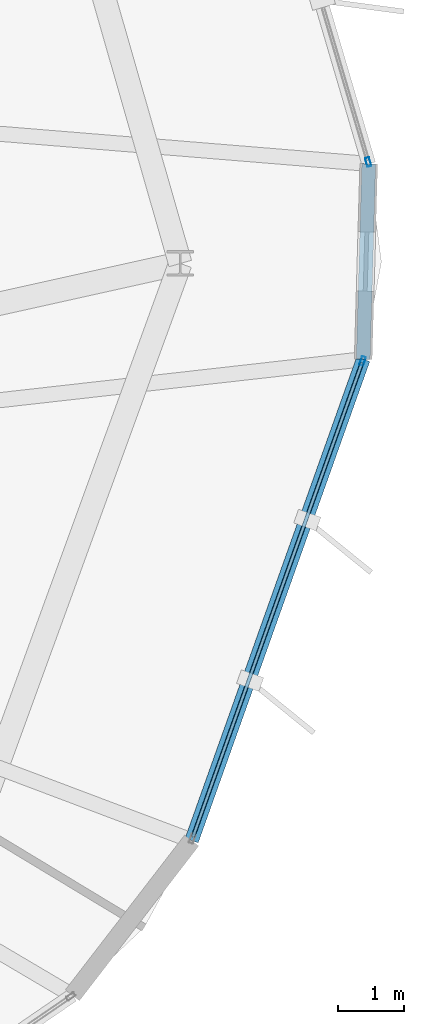
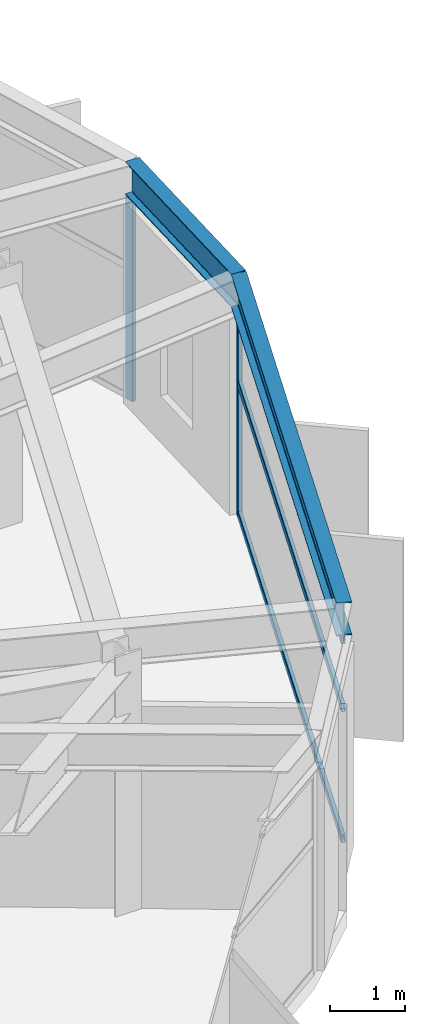
# One storey, part 12 of 20: 5 members, 2 beams, 2 elements without a shape of their own.
"""IFC4 building model written with IfcOpenShell, lengths in metres."""

from ifc_helpers import new_model, si_unit, direction, frame, origin, origin_2d, place, context, subcontext, project, spatial, hollow_rectangle, i_section, extrude, material, layer, layer_set, material_profile, profile_set, type_object, element, aggregate, save


model = new_model("IFC4")

# Units and contexts
model_context = context("Model", 3, precision=1e-05, world=origin(), true_north=direction((0.0, 1.0)))
body_context = subcontext(model_context, "Body", "Model", "MODEL_VIEW")
ifc_project = project(units=[si_unit("LENGTHUNIT", "METRE"), si_unit("AREAUNIT", "SQUARE_METRE"), si_unit("VOLUMEUNIT", "CUBIC_METRE"), si_unit("PLANEANGLEUNIT", "RADIAN"), si_unit("MASSUNIT", "GRAM", prefix="KILO")], contexts=[model_context])

# Site, building, storey
site_placement = place(None, origin())
site = spatial("IfcSite", under=ifc_project, at=site_placement, CompositionType="ELEMENT")
building_placement = place(site_placement, origin())
building = spatial("IfcBuilding", under=site, at=building_placement, Name="Soratama Intermodal Tower", CompositionType="ELEMENT")
storey_placement = place(building_placement, frame((0.0, 0.0, 293.050048828125)))
storey = spatial("IfcBuildingStorey", under=building, at=storey_placement, Name="L74", CompositionType="ELEMENT", Elevation=293.050048828125)

# Beams
ifc_material_1 = material(Name="Structural steel ASTM A992 Grade 50", Category="steel")
ifc_material_profile_1 = material_profile(ifc_material_1, i_section(OverallWidth=0.2099609375, OverallDepth=0.537109375, WebThickness=0.010986328125, FlangeThickness=0.017333984375, FilletRadius=0.012939453125, at=origin_2d()), Name="W21X68")
ifc_profile_set_1 = profile_set([ifc_material_profile_1], Name="Structural steel ASTM A992 Grade 50")
beam_type = type_object("IfcBeamType", Name="BM-SPN-W21X68", PredefinedType="SPANDREL", material=ifc_profile_set_1)
beam_1_placement = place(storey_placement, frame((56.864013671875, 15.72607421875, 3.62646484375), z_axis=(0.335808010424, 0.94193045398, 0.0), x_axis=(-0.94193045398, 0.335808010424, 0.0)))
element("IfcBeam", 1, at=beam_1_placement, inside=storey, type_object=beam_type, Name="BS-L74-F08", PredefinedType="SPANDREL", context=body_context, shape_type="SweptSolid", body=[
    extrude(i_section(OverallWidth=0.2099609375, OverallDepth=0.537109375, WebThickness=0.010986328125, FlangeThickness=0.017333984375, FilletRadius=0.012939453125, at=origin_2d()), origin(), (0.0, 0.0, 1.0), 7.75732421875),
])
beam_2_placement = place(storey_placement, frame((59.468994140625, 23.032958984375, 3.62646484375), z_axis=(0.028303743754, 0.999599368792, 0.0), x_axis=(-0.999599368792, 0.028303743754, 0.0)))
element("IfcBeam", 2, at=beam_2_placement, inside=storey, type_object=beam_type, Name="BS-L74-CRN08", PredefinedType="SPANDREL", context=body_context, shape_type="SweptSolid", body=[
    extrude(i_section(OverallWidth=0.2099609375, OverallDepth=0.537109375, WebThickness=0.010986328125, FlangeThickness=0.017333984375, FilletRadius=0.012939453125, at=origin_2d()), origin(), (0.0, 0.0, 1.0), 2.96728515625),
])

# Curtain wall, member
ifc_material_2 = material(Name="Double-glazed aluminium curtain wall", Category="aluminium")
ifc_layer = layer(ifc_material_2, 0.159912109375)
ifc_layer_set = layer_set([ifc_layer], Name="Double-glazed aluminium curtain wall")
curtain_wall_type = type_object("IfcCurtainWallType", Name="CW-SYS-6", PredefinedType="NOTDEFINED", material=ifc_layer_set)
curtain_wall_1_placement = place(storey_placement, origin())
curtain_wall_1 = element("IfcCurtainWall", 3, at=curtain_wall_1_placement, inside=storey, type_object=curtain_wall_type, Name="L74 Faceted Curtain Wall F08", PredefinedType="NOTDEFINED")
ifc_material_3 = material(Name="Anodised aluminium AA 6063-T6", Category="aluminium")
ifc_material_profile_2 = material_profile(ifc_material_3, hollow_rectangle(XDim=0.06494140625, YDim=0.139892578125, WallThickness=0.0048828125, InnerFilletRadius=0.0048828125, OuterFilletRadius=0.010009765625, at=origin_2d()), Name="CWM140X65X5")
ifc_profile_set_2 = profile_set([ifc_material_profile_2], Name="Anodised aluminium AA 6063-T6")
member_type_1 = type_object("IfcMemberType", Name="MT-CWM-6", PredefinedType="MULLION", material=ifc_profile_set_2)
member_1_placement = place(storey_placement, frame((59.459228515625, 23.005126953125, 0.0), z_axis=(0.0, 0.0, 1.0), x_axis=(-0.941938883362, 0.335784365344, 0.0)))
member_1 = element("IfcMember", 4, at=member_1_placement, type_object=member_type_1, Name="CW-6 mullion 2", PredefinedType="MULLION", context=body_context, shape_type="SweptSolid", body=[
    extrude(hollow_rectangle(XDim=0.06494140625, YDim=0.139892578125, WallThickness=0.0048828125, InnerFilletRadius=0.0048828125, OuterFilletRadius=0.010009765625, at=origin_2d()), origin(), (0.0, 0.0, 1.0), 3.27392578125),
])

curtain_wall_2_placement = place(storey_placement, origin())
curtain_wall_2 = element("IfcCurtainWall", 5, at=curtain_wall_2_placement, inside=storey, type_object=curtain_wall_type, Name="L74 Faceted Curtain Wall F09", PredefinedType="NOTDEFINED")
member_2_placement = place(storey_placement, frame((59.544677734375, 26.027587890625, 0.0), z_axis=(0.0, 0.0, 1.0), x_axis=(-0.95941351654, -0.282003021758, 0.0)))
member_2 = element("IfcMember", 6, at=member_2_placement, type_object=member_type_1, Name="CW-6 mullion 1", PredefinedType="MULLION", context=body_context, shape_type="SweptSolid", body=[
    extrude(hollow_rectangle(XDim=0.06494140625, YDim=0.139892578125, WallThickness=0.0048828125, InnerFilletRadius=0.0048828125, OuterFilletRadius=0.010009765625, at=origin_2d()), origin(), (0.0, 0.0, 1.0), 3.27392578125),
])
aggregate(curtain_wall_2, [member_2])

# Member
ifc_material_4 = material(Name="Anodised aluminium AA 6063-T6", Category="aluminium")
ifc_material_profile_3 = material_profile(ifc_material_4, hollow_rectangle(XDim=0.06005859375, YDim=0.1298828125, WallThickness=0.0048828125, InnerFilletRadius=0.0048828125, OuterFilletRadius=0.010009765625, at=origin_2d()), Name="CWT130X60X5")
ifc_profile_set_3 = profile_set([ifc_material_profile_3], Name="Anodised aluminium AA 6063-T6")
member_type_2 = type_object("IfcMemberType", Name="TT-CWT-2", PredefinedType="USERDEFINED", material=ifc_profile_set_3)
member_3_placement = place(storey_placement, frame((56.88427734375, 15.7822265625, 0.030029296875), z_axis=(0.335807862607, 0.941930506678, 0.0), x_axis=(-0.941930506678, 0.335807862607, 0.0)))
member_3 = element("IfcMember", 7, at=member_3_placement, type_object=member_type_2, Name="CW-6 transom 1.1", ObjectType="TRANSOM", PredefinedType="USERDEFINED", context=body_context, shape_type="SweptSolid", body=[
    extrude(hollow_rectangle(XDim=0.06005859375, YDim=0.1298828125, WallThickness=0.0048828125, InnerFilletRadius=0.0048828125, OuterFilletRadius=0.010009765625, at=origin_2d()), origin(), (0.0, 0.0, 1.0), 7.63818359375),
])

member_4_placement = place(storey_placement, frame((56.88427734375, 15.7822265625, 2.14990234375), z_axis=(0.335807862607, 0.941930506678, 0.0), x_axis=(-0.941930506678, 0.335807862607, 0.0)))
member_4 = element("IfcMember", 8, at=member_4_placement, type_object=member_type_2, Name="CW-6 transom 1.2", ObjectType="TRANSOM", PredefinedType="USERDEFINED", context=body_context, shape_type="SweptSolid", body=[
    extrude(hollow_rectangle(XDim=0.06005859375, YDim=0.1298828125, WallThickness=0.0048828125, InnerFilletRadius=0.0048828125, OuterFilletRadius=0.010009765625, at=origin_2d()), origin(), (0.0, 0.0, 1.0), 7.63818359375),
])

member_5_placement = place(storey_placement, frame((56.88427734375, 15.7822265625, 3.243896484375), z_axis=(0.335807862607, 0.941930506678, 0.0), x_axis=(-0.941930506678, 0.335807862607, 0.0)))
member_5 = element("IfcMember", 9, at=member_5_placement, type_object=member_type_2, Name="CW-6 transom 1.3", ObjectType="TRANSOM", PredefinedType="USERDEFINED", context=body_context, shape_type="SweptSolid", body=[
    extrude(hollow_rectangle(XDim=0.06005859375, YDim=0.1298828125, WallThickness=0.0048828125, InnerFilletRadius=0.0048828125, OuterFilletRadius=0.010009765625, at=origin_2d()), origin(), (0.0, 0.0, 1.0), 7.63818359375),
])

aggregate(curtain_wall_1, [member_1, member_3, member_4, member_5])

save(model, "model.ifc")
